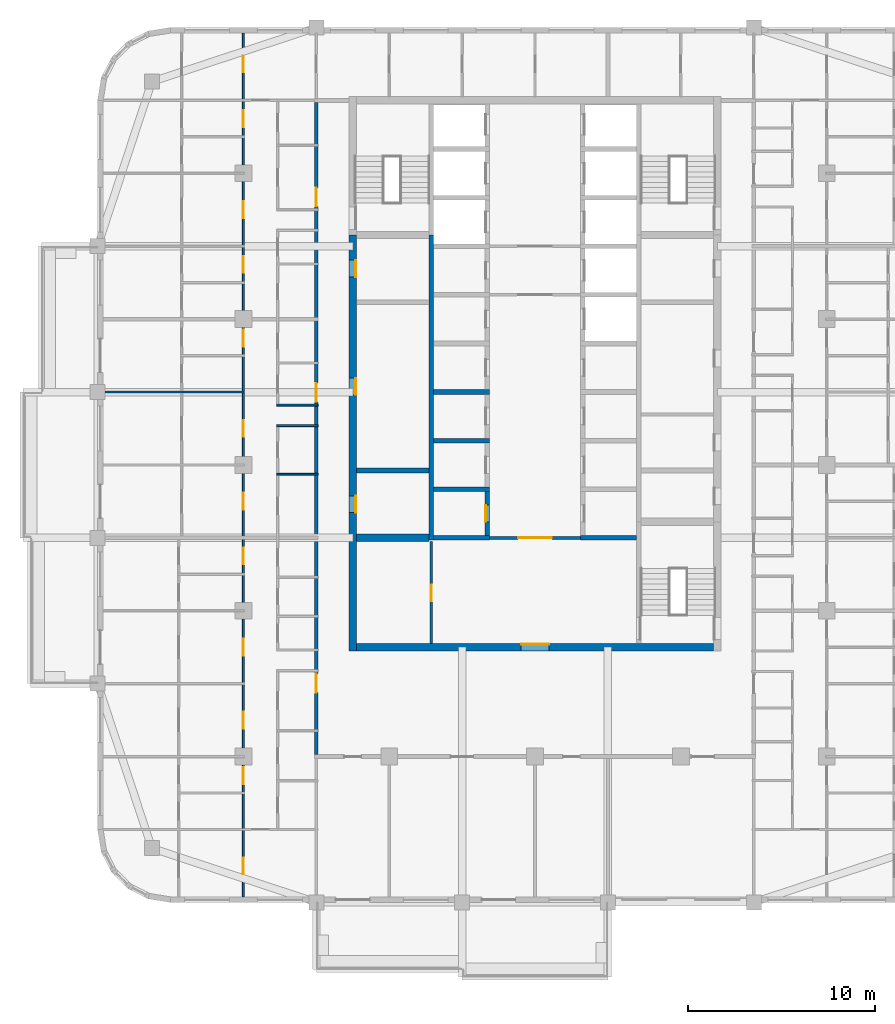
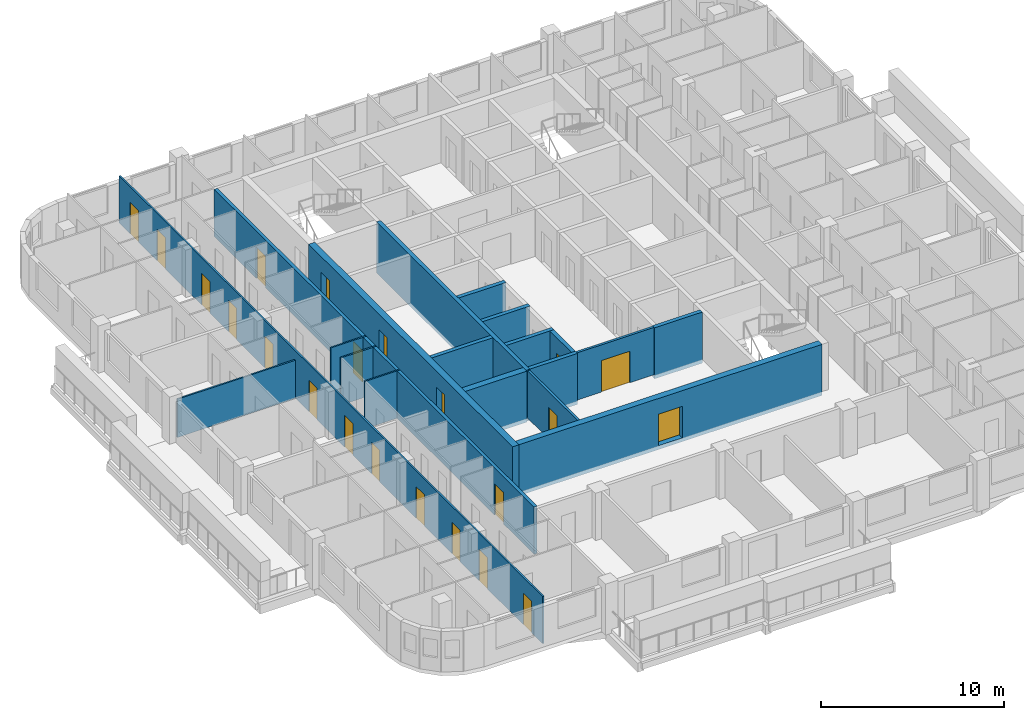
# One storey, part 4 of 16: 22 doors, 19 walls, 22 openings.
"""IFC4 building model written with IfcOpenShell, lengths in metres."""

from ifc_helpers import new_model, si_unit, direction, frame, frame_2d, origin, place, context, subcontext, project, spatial, rectangle, extrude, material, layer, layer_set, type_object, element, fill, save


model = new_model("IFC4")

# Units and contexts
model_context = context("Model", 3, precision=1e-05, world=origin(), true_north=direction((0.0, 1.0)))
body_context = subcontext(model_context, "Body", "Model", "MODEL_VIEW")
ifc_project = project(units=[si_unit("LENGTHUNIT", "METRE"), si_unit("AREAUNIT", "SQUARE_METRE"), si_unit("VOLUMEUNIT", "CUBIC_METRE"), si_unit("PLANEANGLEUNIT", "RADIAN"), si_unit("MASSUNIT", "GRAM", prefix="KILO")], contexts=[model_context])

# Site, building, storey
site_placement = place(None, origin())
site = spatial("IfcSite", under=ifc_project, at=site_placement, CompositionType="ELEMENT")
building_placement = place(site_placement, origin())
building = spatial("IfcBuilding", under=site, at=building_placement, Name="Ludao Terraces", CompositionType="ELEMENT")
storey_placement = place(building_placement, frame((0.0, 0.0, 217.699951171875)))
storey = spatial("IfcBuildingStorey", under=building, at=storey_placement, Name="L59", CompositionType="ELEMENT", Elevation=217.699951171875)

# Wall, openings, doors
ifc_material_1 = material(Name="Concrete C50", Category="concrete")
ifc_layer_1 = layer(ifc_material_1, 0.39990234375)
ifc_layer_set_1 = layer_set([ifc_layer_1], Name="Core wall 400 C50")
wall_type_1 = type_object("IfcWallType", Name="Core wall 400 C50", PredefinedType="SOLIDWALL", material=ifc_layer_set_1)
wall_1_placement = place(storey_placement, frame((75.25, 55.050048828125, -0.25), z_axis=(0.0, 0.0, 1.0), x_axis=(0.0, 1.0, 0.0)))
wall_1 = element("IfcWall", 1, at=wall_1_placement, inside=storey, type_object=wall_type_1, Name="Core wall L59 outer-W", PredefinedType="SOLIDWALL", context=body_context, shape_type="SweptSolid", body=[
    extrude(rectangle(XDim=22.25, YDim=0.39990234375, at=frame_2d((11.125, 0.0))), origin(), (0.0, 0.0, 1.0), 3.400146484375),
])
opening_1_placement = place(wall_1_placement, frame((7.39990234375, 0.0, 0.25)))
opening_1 = element("IfcOpeningElement", 2, at=opening_1_placement, cuts=wall_1, Name="Opening R21-056", PredefinedType="OPENING", context=body_context, shape_type="SweptSolid", body=[
    extrude(rectangle(XDim=0.89990234375, YDim=2.10009765625, at=frame_2d((0.449951171875, 1.050048828125))), frame((0.0, 0.2099609375, 0.0), z_axis=(0.0, -1.0, 0.0), x_axis=(1.0, 0.0, 0.0)), (0.0, 0.0, 1.0), 0.419921875),
])
opening_2_placement = place(wall_1_placement, frame((13.699951171875, 0.0, 0.25)))
opening_2 = element("IfcOpeningElement", 3, at=opening_2_placement, cuts=wall_1, Name="Opening R21-076", PredefinedType="OPENING", context=body_context, shape_type="SweptSolid", body=[
    extrude(rectangle(XDim=0.89990234375, YDim=2.10009765625, at=frame_2d((0.449951171875, 1.050048828125))), frame((0.0, 0.2099609375, 0.0), z_axis=(0.0, -1.0, 0.0), x_axis=(1.0, 0.0, 0.0)), (0.0, 0.0, 1.0), 0.419921875),
])
opening_3_placement = place(wall_1_placement, frame((20.0, 0.0, 0.25)))
opening_3 = element("IfcOpeningElement", 4, at=opening_3_placement, cuts=wall_1, Name="Opening R21-099", PredefinedType="OPENING", context=body_context, shape_type="SweptSolid", body=[
    extrude(rectangle(XDim=0.89990234375, YDim=2.10009765625, at=frame_2d((0.449951171875, 1.050048828125))), frame((0.0, 0.2099609375, 0.0), z_axis=(0.0, -1.0, 0.0), x_axis=(1.0, 0.0, 0.0)), (0.0, 0.0, 1.0), 0.419921875),
])
ifc_material_2 = material(Name="Steel Q235", Category="steel")
door_type_1 = type_object("IfcDoorType", Name="INT Riser door 900", OperationType="SINGLE_SWING_LEFT", PredefinedType="DOOR", material=ifc_material_2)
door_1_placement = place(opening_1_placement, origin())
door_1 = element("IfcDoor", 5, at=door_1_placement, inside=storey, type_object=door_type_1, Name="DOOR 056", OperationType="SINGLE_SWING_RIGHT", OverallHeight=2.10009765625, OverallWidth=0.89990234375, PredefinedType="DOOR", context=body_context, shape_type="SweptSolid", body=[
    extrude(rectangle(XDim=0.89990234375, YDim=2.10009765625, at=frame_2d((0.449951171875, 1.050048828125))), frame((0.0, -0.134765625, 0.0), z_axis=(0.0, -1.0, 0.0), x_axis=(1.0, 0.0, 0.0)), (0.0, 0.0, 1.0), 0.050048828125),
])
fill(opening_1, door_1)
door_2_placement = place(opening_3_placement, origin())
door_2 = element("IfcDoor", 6, at=door_2_placement, inside=storey, type_object=door_type_1, Name="DOOR 099", OperationType="SINGLE_SWING_LEFT", OverallHeight=2.10009765625, OverallWidth=0.89990234375, PredefinedType="DOOR", context=body_context, shape_type="SweptSolid", body=[
    extrude(rectangle(XDim=0.89990234375, YDim=2.10009765625, at=frame_2d((0.449951171875, 1.050048828125))), frame((0.0, -0.134765625, 0.0), z_axis=(0.0, -1.0, 0.0), x_axis=(1.0, 0.0, 0.0)), (0.0, 0.0, 1.0), 0.050048828125),
])
fill(opening_3, door_2)
ifc_material_3 = material(Name="Timber door leaf", Category="wood")
door_type_2 = type_object("IfcDoorType", Name="INT Room door 900", OperationType="SINGLE_SWING_LEFT", PredefinedType="DOOR", material=ifc_material_3)
door_3_placement = place(opening_2_placement, origin())
door_3 = element("IfcDoor", 7, at=door_3_placement, inside=storey, type_object=door_type_2, Name="DOOR 076", OperationType="SINGLE_SWING_RIGHT", OverallHeight=2.10009765625, OverallWidth=0.89990234375, PredefinedType="DOOR", context=body_context, shape_type="SweptSolid", body=[
    extrude(rectangle(XDim=0.89990234375, YDim=2.10009765625, at=frame_2d((0.449951171875, 1.050048828125))), frame((0.0, -0.134765625, 0.0), z_axis=(0.0, -1.0, 0.0), x_axis=(1.0, 0.0, 0.0)), (0.0, 0.0, 1.0), 0.050048828125),
])
fill(opening_2, door_3)

# Wall, opening, door
wall_2_placement = place(storey_placement, frame((75.449951171875, 55.25, -0.25), z_axis=(0.0, 0.0, 1.0), x_axis=(1.0, 0.0, 0.0)))
wall_2 = element("IfcWall", 8, at=wall_2_placement, inside=storey, type_object=wall_type_1, Name="Core wall L59 outer-S", PredefinedType="SOLIDWALL", context=body_context, shape_type="SweptSolid", body=[
    extrude(rectangle(XDim=19.10009765625, YDim=0.39990234375, at=frame_2d((9.550048828125, 0.0))), origin(), (0.0, 0.0, 1.0), 3.400146484375),
])
opening_4_placement = place(wall_2_placement, frame((8.800048828125, 0.0, 0.25)))
opening_4 = element("IfcOpeningElement", 9, at=opening_4_placement, cuts=wall_2, Name="Opening R21-033", PredefinedType="OPENING", context=body_context, shape_type="SweptSolid", body=[
    extrude(rectangle(XDim=1.5, YDim=2.10009765625, at=frame_2d((0.75, 1.050048828125))), frame((0.0, 0.2099609375, 0.0), z_axis=(0.0, -1.0, 0.0), x_axis=(1.0, 0.0, 0.0)), (0.0, 0.0, 1.0), 0.419921875),
])
door_type_3 = type_object("IfcDoorType", Name="INT Lobby door 1500", OperationType="DOUBLE_DOOR_SINGLE_SWING", PredefinedType="DOOR", material=ifc_material_2)
door_4_placement = place(opening_4_placement, origin())
door_4 = element("IfcDoor", 10, at=door_4_placement, inside=storey, type_object=door_type_3, Name="DOOR 033", OperationType="DOUBLE_DOOR_SINGLE_SWING", OverallHeight=2.10009765625, OverallWidth=1.5, PredefinedType="DOOR", context=body_context, shape_type="SweptSolid", body=[
    extrude(rectangle(XDim=1.5, YDim=2.10009765625, at=frame_2d((0.75, 1.050048828125))), frame((0.0, 0.18505859375, 0.0), z_axis=(0.0, -1.0, 0.0), x_axis=(1.0, 0.0, 0.0)), (0.0, 0.0, 1.0), 0.050048828125),
])
fill(opening_4, door_4)

ifc_material_4 = material(Name="Fire-rated gypsum plasterboard", Category="gypsum")
ifc_layer_2 = layer(ifc_material_4, 0.012451171875, Category="gypsum")
ifc_material_5 = material(Name="Mineral wool")
ifc_layer_3 = layer(ifc_material_5, 0.10009765625, Name="insulation")
ifc_layer_4 = layer(ifc_material_2, 0.02490234375, Name="stud")
ifc_layer_5 = layer(ifc_material_4, 0.012451171875, Category="gypsum")
ifc_layer_set_2 = layer_set([ifc_layer_2, ifc_layer_3, ifc_layer_4, ifc_layer_5], Name="INT Core partition 150")
wall_type_2 = type_object("IfcWallType", Name="INT Core partition 150", PredefinedType="PARTITIONING", material=ifc_layer_set_2)
wall_3_placement = place(storey_placement, frame((82.5751953125, 61.10009765625, 0.0), z_axis=(0.0, 0.0, 1.0), x_axis=(1.0, 0.0, 0.0)))
wall_3 = element("IfcWall", 11, at=wall_3_placement, inside=storey, type_object=wall_type_2, Name="PW-L59-PW027", PredefinedType="PARTITIONING", context=body_context, shape_type="SweptSolid", body=[
    extrude(rectangle(XDim=4.849853515625, YDim=0.14990234375, at=frame_2d((2.4248046875, 0.0))), origin(), (0.0, 0.0, 1.0), 3.150146484375),
])
opening_5_placement = place(wall_3_placement, frame((1.52490234375, 0.0, 0.0)))
opening_5 = element("IfcOpeningElement", 12, at=opening_5_placement, cuts=wall_3, Name="Opening R21-050", PredefinedType="OPENING", context=body_context, shape_type="SweptSolid", body=[
    extrude(rectangle(XDim=1.800048828125, YDim=2.10009765625, at=frame_2d((0.89990234375, 1.050048828125))), frame((0.0, 0.0849609375, 0.0), z_axis=(0.0, -1.0, 0.0), x_axis=(1.0, 0.0, 0.0)), (0.0, 0.0, 1.0), 0.169921875),
])
door_type_4 = type_object("IfcDoorType", Name="INT Fire lobby door 1800", OperationType="DOUBLE_DOOR_SINGLE_SWING", PredefinedType="DOOR", material=ifc_material_2)
door_5_placement = place(opening_5_placement, origin())
door_5 = element("IfcDoor", 13, at=door_5_placement, inside=storey, type_object=door_type_4, Name="DOOR 050", OperationType="DOUBLE_DOOR_SINGLE_SWING", OverallHeight=2.10009765625, OverallWidth=1.800048828125, PredefinedType="DOOR", context=body_context, shape_type="SweptSolid", body=[
    extrude(rectangle(XDim=1.800048828125, YDim=2.10009765625, at=frame_2d((0.89990234375, 1.050048828125))), frame((0.0, 0.02490234375, 0.0), z_axis=(0.0, -1.0, 0.0), x_axis=(1.0, 0.0, 0.0)), (0.0, 0.0, 1.0), 0.050048828125),
])
fill(opening_5, door_5)

wall_4_placement = place(storey_placement, frame((79.449951171875, 55.4501953125, 0.0), z_axis=(0.0, 0.0, 1.0), x_axis=(0.0, 1.0, 0.0)))
wall_4 = element("IfcWall", 14, at=wall_4_placement, inside=storey, type_object=wall_type_2, Name="PW-L59-PW082", PredefinedType="PARTITIONING", context=body_context, shape_type="SweptSolid", body=[
    extrude(rectangle(XDim=5.449951171875, YDim=0.14990234375, at=frame_2d((2.72509765625, 0.0))), origin(), (0.0, 0.0, 1.0), 3.150146484375),
])
opening_6_placement = place(wall_4_placement, frame((2.25, 0.0, 0.0)))
opening_6 = element("IfcOpeningElement", 15, at=opening_6_placement, cuts=wall_4, Name="Opening R21-042", PredefinedType="OPENING", context=body_context, shape_type="SweptSolid", body=[
    extrude(rectangle(XDim=0.89990234375, YDim=2.10009765625, at=frame_2d((0.449951171875, 1.050048828125))), frame((0.0, 0.0849609375, 0.0), z_axis=(0.0, -1.0, 0.0), x_axis=(1.0, 0.0, 0.0)), (0.0, 0.0, 1.0), 0.169921875),
])
door_6_placement = place(opening_6_placement, origin())
door_6 = element("IfcDoor", 16, at=door_6_placement, inside=storey, type_object=door_type_2, Name="DOOR 042", OperationType="SINGLE_SWING_LEFT", OverallHeight=2.10009765625, OverallWidth=0.89990234375, PredefinedType="DOOR", context=body_context, shape_type="SweptSolid", body=[
    extrude(rectangle(XDim=0.89990234375, YDim=2.10009765625, at=frame_2d((0.449951171875, 1.050048828125))), frame((0.0, 0.02490234375, 0.0), z_axis=(0.0, -1.0, 0.0), x_axis=(1.0, 0.0, 0.0)), (0.0, 0.0, 1.0), 0.050048828125),
])
fill(opening_6, door_6)

# Wall, openings, doors
ifc_material_6 = material(Name="Autoclaved aerated concrete block B06 A3.5", Category="concrete")
ifc_layer_6 = layer(ifc_material_6, 0.199951171875)
ifc_layer_set_3 = layer_set([ifc_layer_6], Name="INT Entrance wall 200")
wall_type_3 = type_object("IfcWallType", Name="INT Entrance wall 200", PredefinedType="PARTITIONING", material=ifc_layer_set_3)
wall_5_placement = place(storey_placement, frame((73.300048828125, 49.5, 0.0), z_axis=(0.0, 0.0, 1.0), x_axis=(0.0, 1.0, 0.0)))
wall_5 = element("IfcWall", 17, at=wall_5_placement, inside=storey, type_object=wall_type_3, Name="PW-L59-PW078", PredefinedType="PARTITIONING", context=body_context, shape_type="SweptSolid", body=[
    extrude(rectangle(XDim=34.900146484375, YDim=0.199951171875, at=frame_2d((17.4501953125, 0.0))), origin(), (0.0, 0.0, 1.0), 3.150146484375),
])
opening_7_placement = place(wall_5_placement, frame((3.3251953125, 0.0, 0.0)))
opening_7 = element("IfcOpeningElement", 18, at=opening_7_placement, cuts=wall_5, Name="Opening R21-029", PredefinedType="OPENING", context=body_context, shape_type="SweptSolid", body=[
    extrude(rectangle(XDim=1.0, YDim=2.10009765625, at=frame_2d((0.5, 1.050048828125))), frame((0.0, 0.10986328125, 0.0), z_axis=(0.0, -1.0, 0.0), x_axis=(1.0, 0.0, 0.0)), (0.0, 0.0, 1.0), 0.219970703125),
])
opening_8_placement = place(wall_5_placement, frame((18.875, 0.0, 0.0)))
opening_8 = element("IfcOpeningElement", 19, at=opening_8_placement, cuts=wall_5, Name="Opening R21-075", PredefinedType="OPENING", context=body_context, shape_type="SweptSolid", body=[
    extrude(rectangle(XDim=1.0, YDim=2.10009765625, at=frame_2d((0.5, 1.050048828125))), frame((0.0, 0.10986328125, 0.0), z_axis=(0.0, -1.0, 0.0), x_axis=(1.0, 0.0, 0.0)), (0.0, 0.0, 1.0), 0.219970703125),
])
opening_9_placement = place(wall_5_placement, frame((29.3251953125, 0.0, 0.0)))
opening_9 = element("IfcOpeningElement", 20, at=opening_9_placement, cuts=wall_5, Name="Opening R21-116", PredefinedType="OPENING", context=body_context, shape_type="SweptSolid", body=[
    extrude(rectangle(XDim=1.0, YDim=2.10009765625, at=frame_2d((0.5, 1.050048828125))), frame((0.0, 0.10986328125, 0.0), z_axis=(0.0, -1.0, 0.0), x_axis=(1.0, 0.0, 0.0)), (0.0, 0.0, 1.0), 0.219970703125),
])
door_type_5 = type_object("IfcDoorType", Name="INT Flat entrance door 1000", OperationType="SINGLE_SWING_LEFT", PredefinedType="DOOR", material=ifc_material_2)
door_7_placement = place(opening_7_placement, origin())
door_7 = element("IfcDoor", 21, at=door_7_placement, inside=storey, type_object=door_type_5, Name="DOOR 029", OperationType="SINGLE_SWING_LEFT", OverallHeight=2.10009765625, OverallWidth=1.0, PredefinedType="DOOR", context=body_context, shape_type="SweptSolid", body=[
    extrude(rectangle(XDim=1.0, YDim=2.10009765625, at=frame_2d((0.5, 1.050048828125))), frame((0.0, 0.02490234375, 0.0), z_axis=(0.0, -1.0, 0.0), x_axis=(1.0, 0.0, 0.0)), (0.0, 0.0, 1.0), 0.050048828125),
])
fill(opening_7, door_7)
door_8_placement = place(opening_8_placement, origin())
door_8 = element("IfcDoor", 22, at=door_8_placement, inside=storey, type_object=door_type_5, Name="DOOR 075", OperationType="SINGLE_SWING_RIGHT", OverallHeight=2.10009765625, OverallWidth=1.0, PredefinedType="DOOR", context=body_context, shape_type="SweptSolid", body=[
    extrude(rectangle(XDim=1.0, YDim=2.10009765625, at=frame_2d((0.5, 1.050048828125))), frame((0.0, 0.02490234375, 0.0), z_axis=(0.0, -1.0, 0.0), x_axis=(1.0, 0.0, 0.0)), (0.0, 0.0, 1.0), 0.050048828125),
])
fill(opening_8, door_8)
door_9_placement = place(opening_9_placement, origin())
door_9 = element("IfcDoor", 23, at=door_9_placement, inside=storey, type_object=door_type_5, Name="DOOR 116", OperationType="SINGLE_SWING_RIGHT", OverallHeight=2.10009765625, OverallWidth=1.0, PredefinedType="DOOR", context=body_context, shape_type="SweptSolid", body=[
    extrude(rectangle(XDim=1.0, YDim=2.10009765625, at=frame_2d((0.5, 1.050048828125))), frame((0.0, 0.02490234375, 0.0), z_axis=(0.0, -1.0, 0.0), x_axis=(1.0, 0.0, 0.0)), (0.0, 0.0, 1.0), 0.050048828125),
])
fill(opening_9, door_9)

# Walls
ifc_material_7 = material(Name="Gypsum plasterboard", Category="gypsum")
ifc_layer_7 = layer(ifc_material_7, 0.012451171875, Category="gypsum")
ifc_layer_8 = layer(ifc_material_5, 0.06005859375, Name="insulation")
ifc_layer_9 = layer(ifc_material_2, 0.014892578125, Name="stud")
ifc_layer_10 = layer(ifc_material_7, 0.012451171875, Category="gypsum")
ifc_layer_set_4 = layer_set([ifc_layer_7, ifc_layer_8, ifc_layer_9, ifc_layer_10], Name="INT Partition 100")
wall_type_4 = type_object("IfcWallType", Name="INT Partition 100", PredefinedType="PARTITIONING", material=ifc_layer_set_4)
for number, where, z_axis, x_axis, name in (
    (24, (71.18017578125, 64.5, 0.0), (0.0, 0.0, 1.0), (1.0, 0.0, 0.0), "PW-L59-PW031"),
    (25, (71.18017578125, 67.10009765625, 0.0), (0.0, 0.0, 1.0), (1.0, 0.0, 0.0), "PW-L59-PW034"),
    (26, (71.18017578125, 68.199951171875, 0.0), (0.0, 0.0, 1.0), (1.0, 0.0, 0.0), "PW-L59-PW037"),
):
    element("IfcWall", number, at=place(storey_placement, frame(where, z_axis=z_axis, x_axis=x_axis)), inside=storey, type_object=wall_type_4, Name=name, PredefinedType="PARTITIONING", context=body_context, shape_type="SweptSolid", body=[
        extrude(rectangle(XDim=2.219970703125, YDim=0.10009765625, at=frame_2d((1.10986328125, 0.0))), origin(), (0.0, 0.0, 1.0), 3.150146484375),
    ])
wall_6_placement = place(storey_placement, frame((61.900146484375, 68.89990234375, 0.0), z_axis=(0.0, 0.0, 1.0), x_axis=(1.0, 0.0, 0.0)))
element("IfcWall", 27, at=wall_6_placement, inside=storey, type_object=wall_type_4, Name="PW-L59-PW038", PredefinedType="PARTITIONING", context=body_context, shape_type="SweptSolid", body=[
    extrude(rectangle(XDim=7.550048828125, YDim=0.10009765625, at=frame_2d((3.77490234375, 0.0))), origin(), (0.0, 0.0, 1.0), 2.550048828125),
])

# Wall, openings, doors
wall_7_placement = place(storey_placement, frame((69.39990234375, 41.900146484375, 0.0), z_axis=(0.0, 0.0, 1.0), x_axis=(0.0, 1.0, 0.0)))
wall_7 = element("IfcWall", 28, at=wall_7_placement, inside=storey, type_object=wall_type_4, Name="PW-L59-PW072", PredefinedType="PARTITIONING", context=body_context, shape_type="SweptSolid", body=[
    extrude(rectangle(XDim=46.199951171875, YDim=0.10009765625, at=frame_2d((23.10009765625, 0.0))), origin(), (0.0, 0.0, 1.0), 3.150146484375),
])
opening_10_placement = place(wall_7_placement, frame((1.199951171875, 0.0, 0.0)))
opening_10 = element("IfcOpeningElement", 29, at=opening_10_placement, cuts=wall_7, Name="Opening R21-002", PredefinedType="OPENING", context=body_context, shape_type="SweptSolid", body=[
    extrude(rectangle(XDim=0.89990234375, YDim=2.10009765625, at=frame_2d((0.449951171875, 1.050048828125))), frame((0.0, 0.06005859375, 0.0), z_axis=(0.0, -1.0, 0.0), x_axis=(1.0, 0.0, 0.0)), (0.0, 0.0, 1.0), 0.1201171875),
])
opening_11_placement = place(wall_7_placement, frame((6.02490234375, 0.0, 0.0)))
opening_11 = element("IfcOpeningElement", 30, at=opening_11_placement, cuts=wall_7, Name="Opening R21-011", PredefinedType="OPENING", context=body_context, shape_type="SweptSolid", body=[
    extrude(rectangle(XDim=0.89990234375, YDim=2.10009765625, at=frame_2d((0.449951171875, 1.050048828125))), frame((0.0, 0.06005859375, 0.0), z_axis=(0.0, -1.0, 0.0), x_axis=(1.0, 0.0, 0.0)), (0.0, 0.0, 1.0), 0.1201171875),
])
opening_12_placement = place(wall_7_placement, frame((9.0, 0.0, 0.0)))
opening_12 = element("IfcOpeningElement", 31, at=opening_12_placement, cuts=wall_7, Name="Opening R21-023", PredefinedType="OPENING", context=body_context, shape_type="SweptSolid", body=[
    extrude(rectangle(XDim=0.89990234375, YDim=2.10009765625, at=frame_2d((0.449951171875, 1.050048828125))), frame((0.0, 0.06005859375, 0.0), z_axis=(0.0, -1.0, 0.0), x_axis=(1.0, 0.0, 0.0)), (0.0, 0.0, 1.0), 0.1201171875),
])
opening_13_placement = place(wall_7_placement, frame((12.89990234375, 0.0, 0.0)))
opening_13 = element("IfcOpeningElement", 32, at=opening_13_placement, cuts=wall_7, Name="Opening R21-032", PredefinedType="OPENING", context=body_context, shape_type="SweptSolid", body=[
    extrude(rectangle(XDim=0.89990234375, YDim=2.10009765625, at=frame_2d((0.449951171875, 1.050048828125))), frame((0.0, 0.06005859375, 0.0), z_axis=(0.0, -1.0, 0.0), x_axis=(1.0, 0.0, 0.0)), (0.0, 0.0, 1.0), 0.1201171875),
])
opening_14_placement = place(wall_7_placement, frame((17.77490234375, 0.0, 0.0)))
opening_14 = element("IfcOpeningElement", 33, at=opening_14_placement, cuts=wall_7, Name="Opening R21-048", PredefinedType="OPENING", context=body_context, shape_type="SweptSolid", body=[
    extrude(rectangle(XDim=0.89990234375, YDim=2.10009765625, at=frame_2d((0.449951171875, 1.050048828125))), frame((0.0, 0.06005859375, 0.0), z_axis=(0.0, -1.0, 0.0), x_axis=(1.0, 0.0, 0.0)), (0.0, 0.0, 1.0), 0.1201171875),
])
opening_15_placement = place(wall_7_placement, frame((20.699951171875, 0.0, 0.0)))
opening_15 = element("IfcOpeningElement", 34, at=opening_15_placement, cuts=wall_7, Name="Opening R21-058", PredefinedType="OPENING", context=body_context, shape_type="SweptSolid", body=[
    extrude(rectangle(XDim=0.89990234375, YDim=2.10009765625, at=frame_2d((0.449951171875, 1.050048828125))), frame((0.0, 0.06005859375, 0.0), z_axis=(0.0, -1.0, 0.0), x_axis=(1.0, 0.0, 0.0)), (0.0, 0.0, 1.0), 0.1201171875),
])
opening_16_placement = place(wall_7_placement, frame((24.60009765625, 0.0, 0.0)))
opening_16 = element("IfcOpeningElement", 35, at=opening_16_placement, cuts=wall_7, Name="Opening R21-069", PredefinedType="OPENING", context=body_context, shape_type="SweptSolid", body=[
    extrude(rectangle(XDim=0.89990234375, YDim=2.10009765625, at=frame_2d((0.449951171875, 1.050048828125))), frame((0.0, 0.06005859375, 0.0), z_axis=(0.0, -1.0, 0.0), x_axis=(1.0, 0.0, 0.0)), (0.0, 0.0, 1.0), 0.1201171875),
])
opening_17_placement = place(wall_7_placement, frame((29.425048828125, 0.0, 0.0)))
opening_17 = element("IfcOpeningElement", 36, at=opening_17_placement, cuts=wall_7, Name="Opening R21-085", PredefinedType="OPENING", context=body_context, shape_type="SweptSolid", body=[
    extrude(rectangle(XDim=0.89990234375, YDim=2.10009765625, at=frame_2d((0.449951171875, 1.050048828125))), frame((0.0, 0.06005859375, 0.0), z_axis=(0.0, -1.0, 0.0), x_axis=(1.0, 0.0, 0.0)), (0.0, 0.0, 1.0), 0.1201171875),
])
opening_18_placement = place(wall_7_placement, frame((33.375, 0.0, 0.0)))
opening_18 = element("IfcOpeningElement", 37, at=opening_18_placement, cuts=wall_7, Name="Opening R21-102", PredefinedType="OPENING", context=body_context, shape_type="SweptSolid", body=[
    extrude(rectangle(XDim=0.89990234375, YDim=2.10009765625, at=frame_2d((0.449951171875, 1.050048828125))), frame((0.0, 0.06005859375, 0.0), z_axis=(0.0, -1.0, 0.0), x_axis=(1.0, 0.0, 0.0)), (0.0, 0.0, 1.0), 0.1201171875),
])
opening_19_placement = place(wall_7_placement, frame((36.300048828125, 0.0, 0.0)))
opening_19 = element("IfcOpeningElement", 38, at=opening_19_placement, cuts=wall_7, Name="Opening R21-113", PredefinedType="OPENING", context=body_context, shape_type="SweptSolid", body=[
    extrude(rectangle(XDim=0.89990234375, YDim=2.10009765625, at=frame_2d((0.449951171875, 1.050048828125))), frame((0.0, 0.06005859375, 0.0), z_axis=(0.0, -1.0, 0.0), x_axis=(1.0, 0.0, 0.0)), (0.0, 0.0, 1.0), 0.1201171875),
])
opening_20_placement = place(wall_7_placement, frame((41.175048828125, 0.0, 0.0)))
opening_20 = element("IfcOpeningElement", 39, at=opening_20_placement, cuts=wall_7, Name="Opening R21-129", PredefinedType="OPENING", context=body_context, shape_type="SweptSolid", body=[
    extrude(rectangle(XDim=0.89990234375, YDim=2.10009765625, at=frame_2d((0.449951171875, 1.050048828125))), frame((0.0, 0.06005859375, 0.0), z_axis=(0.0, -1.0, 0.0), x_axis=(1.0, 0.0, 0.0)), (0.0, 0.0, 1.0), 0.1201171875),
])
opening_21_placement = place(wall_7_placement, frame((44.10009765625, 0.0, 0.0)))
opening_21 = element("IfcOpeningElement", 40, at=opening_21_placement, cuts=wall_7, Name="Opening R21-136", PredefinedType="OPENING", context=body_context, shape_type="SweptSolid", body=[
    extrude(rectangle(XDim=0.89990234375, YDim=2.10009765625, at=frame_2d((0.449951171875, 1.050048828125))), frame((0.0, 0.06005859375, 0.0), z_axis=(0.0, -1.0, 0.0), x_axis=(1.0, 0.0, 0.0)), (0.0, 0.0, 1.0), 0.1201171875),
])
door_10_placement = place(opening_10_placement, origin())
door_10 = element("IfcDoor", 41, at=door_10_placement, inside=storey, type_object=door_type_2, Name="DOOR 002", OperationType="SINGLE_SWING_LEFT", OverallHeight=2.10009765625, OverallWidth=0.89990234375, PredefinedType="DOOR", context=body_context, shape_type="SweptSolid", body=[
    extrude(rectangle(XDim=0.89990234375, YDim=2.10009765625, at=frame_2d((0.449951171875, 1.050048828125))), frame((0.0, 0.02490234375, 0.0), z_axis=(0.0, -1.0, 0.0), x_axis=(1.0, 0.0, 0.0)), (0.0, 0.0, 1.0), 0.050048828125),
])
fill(opening_10, door_10)
door_11_placement = place(opening_11_placement, origin())
door_11 = element("IfcDoor", 42, at=door_11_placement, inside=storey, type_object=door_type_2, Name="DOOR 011", OperationType="SINGLE_SWING_LEFT", OverallHeight=2.10009765625, OverallWidth=0.89990234375, PredefinedType="DOOR", context=body_context, shape_type="SweptSolid", body=[
    extrude(rectangle(XDim=0.89990234375, YDim=2.10009765625, at=frame_2d((0.449951171875, 1.050048828125))), frame((0.0, 0.02490234375, 0.0), z_axis=(0.0, -1.0, 0.0), x_axis=(1.0, 0.0, 0.0)), (0.0, 0.0, 1.0), 0.050048828125),
])
fill(opening_11, door_11)
door_12_placement = place(opening_12_placement, origin())
door_12 = element("IfcDoor", 43, at=door_12_placement, inside=storey, type_object=door_type_2, Name="DOOR 023", OperationType="SINGLE_SWING_LEFT", OverallHeight=2.10009765625, OverallWidth=0.89990234375, PredefinedType="DOOR", context=body_context, shape_type="SweptSolid", body=[
    extrude(rectangle(XDim=0.89990234375, YDim=2.10009765625, at=frame_2d((0.449951171875, 1.050048828125))), frame((0.0, 0.02490234375, 0.0), z_axis=(0.0, -1.0, 0.0), x_axis=(1.0, 0.0, 0.0)), (0.0, 0.0, 1.0), 0.050048828125),
])
fill(opening_12, door_12)
door_13_placement = place(opening_13_placement, origin())
door_13 = element("IfcDoor", 44, at=door_13_placement, inside=storey, type_object=door_type_2, Name="DOOR 032", OperationType="SINGLE_SWING_LEFT", OverallHeight=2.10009765625, OverallWidth=0.89990234375, PredefinedType="DOOR", context=body_context, shape_type="SweptSolid", body=[
    extrude(rectangle(XDim=0.89990234375, YDim=2.10009765625, at=frame_2d((0.449951171875, 1.050048828125))), frame((0.0, 0.02490234375, 0.0), z_axis=(0.0, -1.0, 0.0), x_axis=(1.0, 0.0, 0.0)), (0.0, 0.0, 1.0), 0.050048828125),
])
fill(opening_13, door_13)
door_14_placement = place(opening_14_placement, origin())
door_14 = element("IfcDoor", 45, at=door_14_placement, inside=storey, type_object=door_type_2, Name="DOOR 048", OperationType="SINGLE_SWING_LEFT", OverallHeight=2.10009765625, OverallWidth=0.89990234375, PredefinedType="DOOR", context=body_context, shape_type="SweptSolid", body=[
    extrude(rectangle(XDim=0.89990234375, YDim=2.10009765625, at=frame_2d((0.449951171875, 1.050048828125))), frame((0.0, 0.02490234375, 0.0), z_axis=(0.0, -1.0, 0.0), x_axis=(1.0, 0.0, 0.0)), (0.0, 0.0, 1.0), 0.050048828125),
])
fill(opening_14, door_14)
door_15_placement = place(opening_15_placement, origin())
door_15 = element("IfcDoor", 46, at=door_15_placement, inside=storey, type_object=door_type_2, Name="DOOR 058", OperationType="SINGLE_SWING_RIGHT", OverallHeight=2.10009765625, OverallWidth=0.89990234375, PredefinedType="DOOR", context=body_context, shape_type="SweptSolid", body=[
    extrude(rectangle(XDim=0.89990234375, YDim=2.10009765625, at=frame_2d((0.449951171875, 1.050048828125))), frame((0.0, 0.02490234375, 0.0), z_axis=(0.0, -1.0, 0.0), x_axis=(1.0, 0.0, 0.0)), (0.0, 0.0, 1.0), 0.050048828125),
])
fill(opening_15, door_15)
door_16_placement = place(opening_16_placement, origin())
door_16 = element("IfcDoor", 47, at=door_16_placement, inside=storey, type_object=door_type_2, Name="DOOR 069", OperationType="SINGLE_SWING_RIGHT", OverallHeight=2.10009765625, OverallWidth=0.89990234375, PredefinedType="DOOR", context=body_context, shape_type="SweptSolid", body=[
    extrude(rectangle(XDim=0.89990234375, YDim=2.10009765625, at=frame_2d((0.449951171875, 1.050048828125))), frame((0.0, 0.02490234375, 0.0), z_axis=(0.0, -1.0, 0.0), x_axis=(1.0, 0.0, 0.0)), (0.0, 0.0, 1.0), 0.050048828125),
])
fill(opening_16, door_16)
door_17_placement = place(opening_17_placement, origin())
door_17 = element("IfcDoor", 48, at=door_17_placement, inside=storey, type_object=door_type_2, Name="DOOR 085", OperationType="SINGLE_SWING_LEFT", OverallHeight=2.10009765625, OverallWidth=0.89990234375, PredefinedType="DOOR", context=body_context, shape_type="SweptSolid", body=[
    extrude(rectangle(XDim=0.89990234375, YDim=2.10009765625, at=frame_2d((0.449951171875, 1.050048828125))), frame((0.0, 0.02490234375, 0.0), z_axis=(0.0, -1.0, 0.0), x_axis=(1.0, 0.0, 0.0)), (0.0, 0.0, 1.0), 0.050048828125),
])
fill(opening_17, door_17)
door_18_placement = place(opening_18_placement, origin())
door_18 = element("IfcDoor", 49, at=door_18_placement, inside=storey, type_object=door_type_2, Name="DOOR 102", OperationType="SINGLE_SWING_LEFT", OverallHeight=2.10009765625, OverallWidth=0.89990234375, PredefinedType="DOOR", context=body_context, shape_type="SweptSolid", body=[
    extrude(rectangle(XDim=0.89990234375, YDim=2.10009765625, at=frame_2d((0.449951171875, 1.050048828125))), frame((0.0, 0.02490234375, 0.0), z_axis=(0.0, -1.0, 0.0), x_axis=(1.0, 0.0, 0.0)), (0.0, 0.0, 1.0), 0.050048828125),
])
fill(opening_18, door_18)
door_19_placement = place(opening_19_placement, origin())
door_19 = element("IfcDoor", 50, at=door_19_placement, inside=storey, type_object=door_type_2, Name="DOOR 113", OperationType="SINGLE_SWING_LEFT", OverallHeight=2.10009765625, OverallWidth=0.89990234375, PredefinedType="DOOR", context=body_context, shape_type="SweptSolid", body=[
    extrude(rectangle(XDim=0.89990234375, YDim=2.10009765625, at=frame_2d((0.449951171875, 1.050048828125))), frame((0.0, 0.02490234375, 0.0), z_axis=(0.0, -1.0, 0.0), x_axis=(1.0, 0.0, 0.0)), (0.0, 0.0, 1.0), 0.050048828125),
])
fill(opening_19, door_19)
door_20_placement = place(opening_20_placement, origin())
door_20 = element("IfcDoor", 51, at=door_20_placement, inside=storey, type_object=door_type_2, Name="DOOR 129", OperationType="SINGLE_SWING_LEFT", OverallHeight=2.10009765625, OverallWidth=0.89990234375, PredefinedType="DOOR", context=body_context, shape_type="SweptSolid", body=[
    extrude(rectangle(XDim=0.89990234375, YDim=2.10009765625, at=frame_2d((0.449951171875, 1.050048828125))), frame((0.0, 0.02490234375, 0.0), z_axis=(0.0, -1.0, 0.0), x_axis=(1.0, 0.0, 0.0)), (0.0, 0.0, 1.0), 0.050048828125),
])
fill(opening_20, door_20)
door_21_placement = place(opening_21_placement, origin())
door_21 = element("IfcDoor", 52, at=door_21_placement, inside=storey, type_object=door_type_2, Name="DOOR 136", OperationType="SINGLE_SWING_RIGHT", OverallHeight=2.10009765625, OverallWidth=0.89990234375, PredefinedType="DOOR", context=body_context, shape_type="SweptSolid", body=[
    extrude(rectangle(XDim=0.89990234375, YDim=2.10009765625, at=frame_2d((0.449951171875, 1.050048828125))), frame((0.0, 0.02490234375, 0.0), z_axis=(0.0, -1.0, 0.0), x_axis=(1.0, 0.0, 0.0)), (0.0, 0.0, 1.0), 0.050048828125),
])
fill(opening_21, door_21)

# Walls
ifc_layer_11 = layer(ifc_material_1, 0.25)
ifc_layer_set_5 = layer_set([ifc_layer_11], Name="Shaft wall 250 C50")
wall_type_5 = type_object("IfcWallType", Name="Shaft wall 250 C50", PredefinedType="SOLIDWALL", material=ifc_layer_set_5)
wall_8_placement = place(storey_placement, frame((79.449951171875, 60.97509765625, -0.25), z_axis=(0.0, 0.0, 1.0), x_axis=(0.0, 1.0, 0.0)))
element("IfcWall", 53, at=wall_8_placement, inside=storey, type_object=wall_type_5, Name="Core wall L59 back-W", PredefinedType="SOLIDWALL", context=body_context, shape_type="SweptSolid", body=[
    extrude(rectangle(XDim=16.324951171875, YDim=0.25, at=frame_2d((8.16259765625, 0.0))), origin(), (0.0, 0.0, 1.0), 3.400146484375),
])
wall_9_placement = place(storey_placement, frame((79.574951171875, 61.10009765625, -0.25), z_axis=(0.0, 0.0, 1.0), x_axis=(1.0, 0.0, 0.0)))
element("IfcWall", 54, at=wall_9_placement, inside=storey, type_object=wall_type_5, Name="Core wall L59 div-W1", PredefinedType="SOLIDWALL", context=body_context, shape_type="SweptSolid", body=[
    extrude(rectangle(XDim=3.0, YDim=0.25, at=frame_2d((1.5, 0.0))), origin(), (0.0, 0.0, 1.0), 3.400146484375),
])

# Wall, opening, door
wall_10_placement = place(storey_placement, frame((82.449951171875, 61.22509765625, -0.25), z_axis=(0.0, 0.0, 1.0), x_axis=(0.0, 1.0, 0.0)))
wall_10 = element("IfcWall", 55, at=wall_10_placement, inside=storey, type_object=wall_type_5, Name="Core wall L59 front-W1", PredefinedType="SOLIDWALL", context=body_context, shape_type="SweptSolid", body=[
    extrude(rectangle(XDim=2.349853515625, YDim=0.25, at=frame_2d((1.1748046875, 0.0))), origin(), (0.0, 0.0, 1.0), 3.400146484375),
])
opening_22_placement = place(wall_10_placement, frame((0.72509765625, 0.0, 0.25)))
opening_22 = element("IfcOpeningElement", 56, at=opening_22_placement, cuts=wall_10, Name="Opening R21-053", PredefinedType="OPENING", context=body_context, shape_type="SweptSolid", body=[
    extrude(rectangle(XDim=0.89990234375, YDim=2.10009765625, at=frame_2d((0.449951171875, 1.050048828125))), frame((0.0, 0.135009765625, 0.0), z_axis=(0.0, -1.0, 0.0), x_axis=(1.0, 0.0, 0.0)), (0.0, 0.0, 1.0), 0.27001953125),
])
door_22_placement = place(opening_22_placement, origin())
door_22 = element("IfcDoor", 57, at=door_22_placement, inside=storey, type_object=door_type_2, Name="DOOR 053", OperationType="SINGLE_SWING_LEFT", OverallHeight=2.10009765625, OverallWidth=0.89990234375, PredefinedType="DOOR", context=body_context, shape_type="SweptSolid", body=[
    extrude(rectangle(XDim=0.89990234375, YDim=2.10009765625, at=frame_2d((0.449951171875, 1.050048828125))), frame((0.0, 0.10986328125, 0.0), z_axis=(0.0, -1.0, 0.0), x_axis=(1.0, 0.0, 0.0)), (0.0, 0.0, 1.0), 0.050048828125),
])
fill(opening_22, door_22)

# Walls
for number, where, z_axis, x_axis, name in (
    (58, (79.574951171875, 63.699951171875, -0.25), (0.0, 0.0, 1.0), (1.0, 0.0, 0.0), "Core wall L59 div-W2"),
    (59, (79.574951171875, 66.300048828125, -0.25), (0.0, 0.0, 1.0), (1.0, 0.0, 0.0), "Core wall L59 div-W3"),
    (60, (79.574951171875, 68.89990234375, -0.25), (0.0, 0.0, 1.0), (1.0, 0.0, 0.0), "Core wall L59 div-W4"),
    (61, (87.425048828125, 61.10009765625, -0.25), (0.0, 0.0, 1.0), (1.0, 0.0, 0.0), "Core wall L59 div-E1"),
):
    element("IfcWall", number, at=place(storey_placement, frame(where, z_axis=z_axis, x_axis=x_axis)), inside=storey, type_object=wall_type_5, Name=name, PredefinedType="SOLIDWALL", context=body_context, shape_type="SweptSolid", body=[
        extrude(rectangle(XDim=3.0, YDim=0.25, at=frame_2d((1.5, 0.0))), origin(), (0.0, 0.0, 1.0), 3.400146484375),
    ])
wall_11_placement = place(storey_placement, frame((75.449951171875, 64.699951171875, -0.25), z_axis=(0.0, 0.0, 1.0), x_axis=(1.0, 0.0, 0.0)))
element("IfcWall", 62, at=wall_11_placement, inside=storey, type_object=wall_type_5, Name="Core wall L59 riser-a-W", PredefinedType="SOLIDWALL", context=body_context, shape_type="SweptSolid", body=[
    extrude(rectangle(XDim=3.875, YDim=0.25, at=frame_2d((1.9375, 0.0))), origin(), (0.0, 0.0, 1.0), 3.400146484375),
])
ifc_layer_12 = layer(ifc_material_1, 0.39990234375)
ifc_layer_set_6 = layer_set([ifc_layer_12], Name="Shaft wall 400 C50")
wall_type_6 = type_object("IfcWallType", Name="Shaft wall 400 C50", PredefinedType="SOLIDWALL", material=ifc_layer_set_6)
wall_12_placement = place(storey_placement, frame((75.449951171875, 61.10009765625, -0.25), z_axis=(0.0, 0.0, 1.0), x_axis=(1.0, 0.0, 0.0)))
element("IfcWall", 63, at=wall_12_placement, inside=storey, type_object=wall_type_6, Name="Core wall L59 hall-W", PredefinedType="SOLIDWALL", context=body_context, shape_type="SweptSolid", body=[
    extrude(rectangle(XDim=3.875, YDim=0.39990234375, at=frame_2d((1.9375, 0.0))), origin(), (0.0, 0.0, 1.0), 3.400146484375),
])

save(model, "model.ifc")
